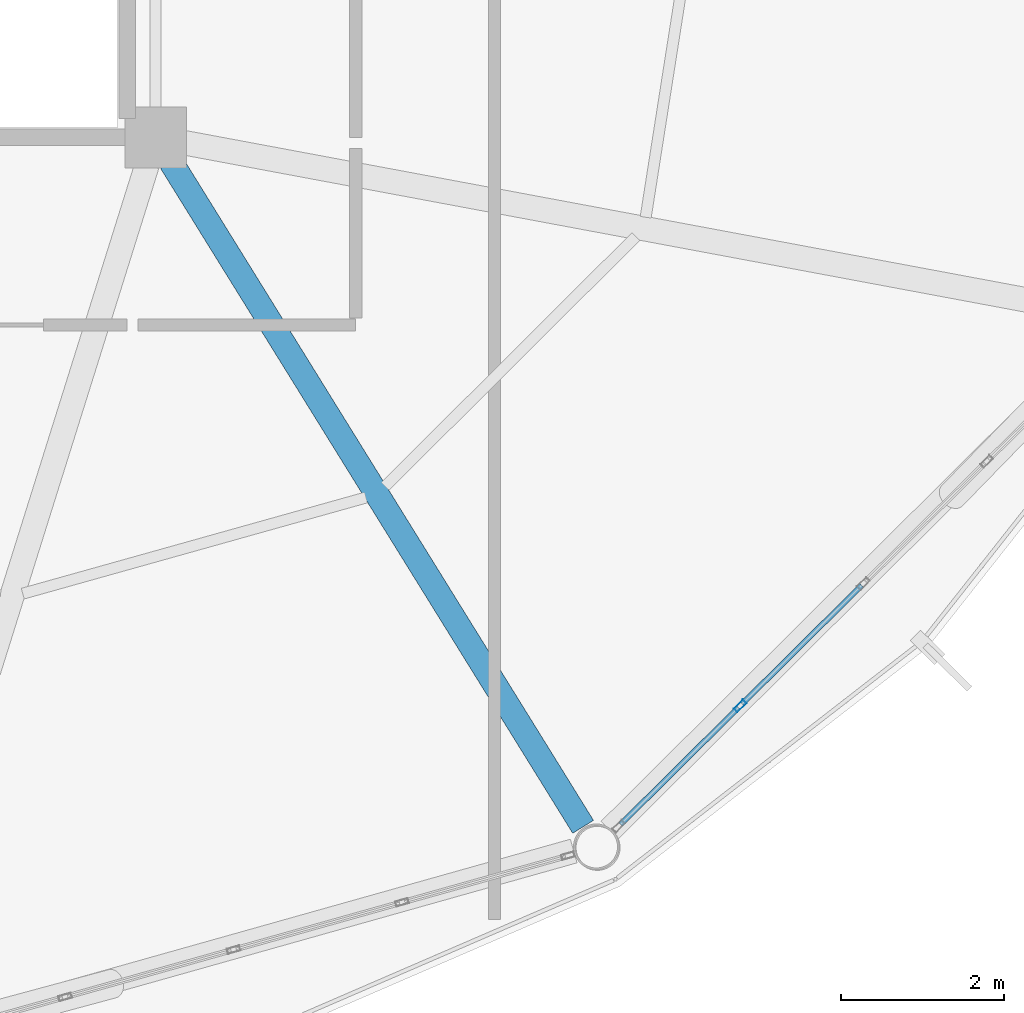
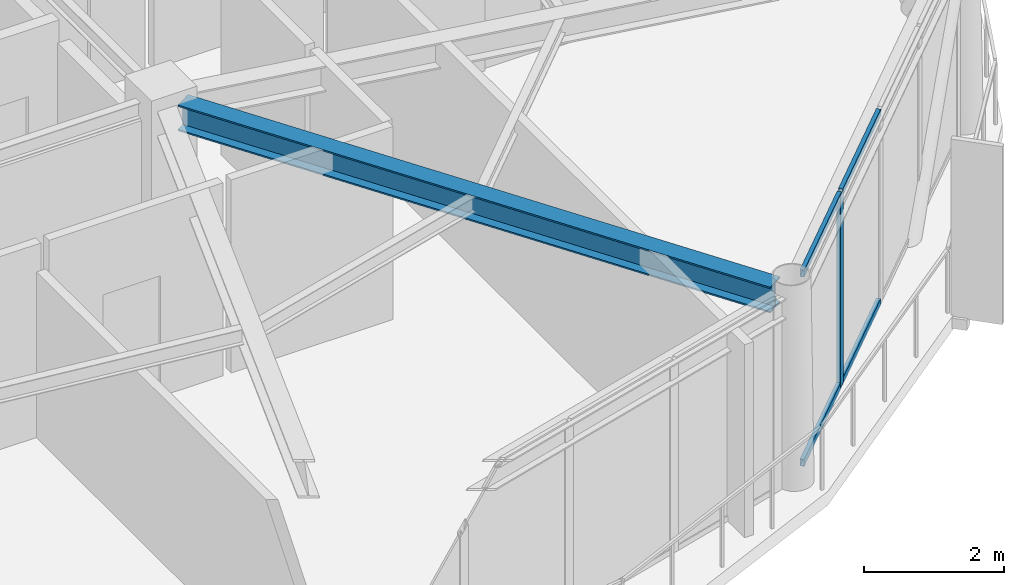
# One storey, part 7 of 25: 5 members, 1 beam, 1 element without a shape of its own.
"""IFC4 building model written with IfcOpenShell, lengths in metres."""

import ifcopenshell
import ifcopenshell.guid

model = None  # the IFC model being written
_history = None  # IfcOwnerHistory: only IFC2X3 demands one
_inside = {}  # id of a spatial element -> (the spatial element, [elements in it])
_under = {}  # id of a project, library or spatial element -> (it, [spatial elements below it])
_declared = {}  # id of a project -> (the project, [libraries it declares])
_typed = {}  # id of a type object -> (the type object, [elements of that type])
_made_of = {}  # id of a material, layer set ... -> (it, [elements and type objects made of it])


def new_model(schema):
    """Start an empty IFC model of exactly this schema.

    Asked for "IFC4X3", IfcOpenShell would pick the latest addendum, in which some entities
    have other attributes; the version numbers below select the first issue.
    IFC2X3 requires an IfcOwnerHistory on every rooted entity: one is made here for all.
    """
    global model, _history
    if schema == "IFC4X3":
        model = ifcopenshell.file(schema_version=(4, 3, 0, 0))
    else:
        model = ifcopenshell.file(schema=schema)
    _inside.clear()
    _under.clear()
    _declared.clear()
    _typed.clear()
    _made_of.clear()
    _history = None
    if model.schema == "IFC2X3":
        org = make("IfcOrganization", Name="unknown")
        user = make(
            "IfcPersonAndOrganization",
            ThePerson=make("IfcPerson", FamilyName="unknown"),
            TheOrganization=org,
        )
        app = make(
            "IfcApplication",
            ApplicationDeveloper=org,
            Version="unknown",
            ApplicationFullName="unknown",
            ApplicationIdentifier="unknown",
        )
        _history = make(
            "IfcOwnerHistory",
            OwningUser=user,
            OwningApplication=app,
            ChangeAction="ADDED",
            CreationDate=0,
        )
    return model


def make(cls, **values):
    """One entity of the class cls with the attributes given. An attribute that is None is left unset."""
    return model.create_entity(
        cls, **{name: value for name, value in values.items() if value is not None}
    )


def rooted(cls, **values):
    """An entity with a GlobalId (a new one), such as an element, a storey or a relation."""
    return make(cls, GlobalId=ifcopenshell.guid.new(), OwnerHistory=_history, **values)


def si_unit(unit_type, name, prefix=None):
    """IfcSIUnit, for example si_unit("LENGTHUNIT", "METRE", prefix="MILLI")."""
    return make("IfcSIUnit", UnitType=unit_type, Prefix=prefix, Name=name)


def assignment(units):
    """IfcUnitAssignment: the units of a project."""
    return None if units is None else make("IfcUnitAssignment", Units=units)


def point(xyz):
    """IfcCartesianPoint."""
    return None if xyz is None else make("IfcCartesianPoint", Coordinates=xyz)


def direction(xyz):
    """IfcDirection."""
    return None if xyz is None else make("IfcDirection", DirectionRatios=xyz)


def frame(location, z_axis=None, x_axis=None):
    """IfcAxis2Placement3D, a coordinate frame: its origin and axes. An axis left out is left unset."""
    return make(
        "IfcAxis2Placement3D",
        Location=point(location),
        Axis=direction(z_axis),
        RefDirection=direction(x_axis),
    )


def frame_2d(location, x_axis=None):
    """IfcAxis2Placement2D, a coordinate frame in the plane: its origin and x axis."""
    return make(
        "IfcAxis2Placement2D", Location=point(location), RefDirection=direction(x_axis)
    )


def origin():
    """The frame at (0, 0, 0) with its axes left unset."""
    return frame((0.0, 0.0, 0.0))


def origin_2d():
    """The frame at (0, 0) in the plane with its x axis left unset."""
    return frame_2d((0.0, 0.0))


def place(relative_to, where):
    """IfcLocalPlacement: puts the frame where relative to a parent placement (None: the world)."""
    return make(
        "IfcLocalPlacement", PlacementRelTo=relative_to, RelativePlacement=where
    )


def context(
    kind, dimensions, precision=None, world=None, true_north=None, identifier=None
):
    """IfcGeometricRepresentationContext, for example the 3D "Model" context."""
    return make(
        "IfcGeometricRepresentationContext",
        ContextIdentifier=identifier,
        ContextType=kind,
        CoordinateSpaceDimension=dimensions,
        Precision=precision,
        WorldCoordinateSystem=world,
        TrueNorth=true_north,
    )


def subcontext(parent, identifier, kind, view, scale=None):
    """IfcGeometricRepresentationSubContext, for example "Body" below "Model"."""
    return make(
        "IfcGeometricRepresentationSubContext",
        ContextIdentifier=identifier,
        ContextType=kind,
        ParentContext=parent,
        TargetScale=scale,
        TargetView=view,
    )


def project(units=None, contexts=None):
    """IfcProject with its units and contexts."""
    return rooted(
        "IfcProject",
        Name="project",
        RepresentationContexts=contexts,
        UnitsInContext=assignment(units),
    )


def spatial(cls, under=None, at=None, **own):
    """A site, building, storey or space (cls), placed at a placement, below another one or the project."""
    s = rooted(cls, ObjectPlacement=at, **own)
    if under is not None:
        _under.setdefault(under.id(), (under, []))[1].append(s)
    return s


def profile(cls, at=None, kind="AREA", **sizes):
    """A parametric profile (cls). Its sizes go by their IFC names, for example OverallWidth=200.0."""
    return make(cls, ProfileType=kind, Position=at, **sizes)


def hollow_rectangle(**sizes):
    """IfcRectangleHollowProfileDef."""
    return profile("IfcRectangleHollowProfileDef", **sizes)


def i_section(**sizes):
    """IfcIShapeProfileDef."""
    return profile("IfcIShapeProfileDef", **sizes)


def extrude(swept, where, along, depth):
    """IfcExtrudedAreaSolid: the profile swept, set in the frame where, extruded along a direction by depth."""
    return make(
        "IfcExtrudedAreaSolid",
        SweptArea=swept,
        Position=where,
        ExtrudedDirection=direction(along),
        Depth=depth,
    )


def shape(context_of_items, identifier, shape_type, items):
    """IfcShapeRepresentation: the items that make up one representation, for example the "Body"."""
    return make(
        "IfcShapeRepresentation",
        ContextOfItems=context_of_items,
        RepresentationIdentifier=identifier,
        RepresentationType=shape_type,
        Items=items,
    )


def material(Name=None, Category=None):
    """IfcMaterial."""
    return make("IfcMaterial", Name=Name, Category=Category)


def layer(
    of_material, thickness, ventilated=None, Name=None, Category=None, Priority=None
):
    """IfcMaterialLayer: one layer of a wall or slab, of a material (None: an air gap)."""
    return make(
        "IfcMaterialLayer",
        Material=of_material,
        LayerThickness=thickness,
        IsVentilated=ventilated,
        Name=Name,
        Category=Category,
        Priority=Priority,
    )


def layer_set(layers, Name=None):
    """IfcMaterialLayerSet."""
    return make("IfcMaterialLayerSet", MaterialLayers=layers, LayerSetName=Name)


def material_profile(
    of_material, cross_section, Name=None, Category=None, Priority=None
):
    """IfcMaterialProfile: a cross section and its material."""
    return make(
        "IfcMaterialProfile",
        Name=Name,
        Material=of_material,
        Profile=cross_section,
        Priority=Priority,
        Category=Category,
    )


def profile_set(profiles, Name=None, composite=None):
    """IfcMaterialProfileSet."""
    return make(
        "IfcMaterialProfileSet",
        Name=Name,
        MaterialProfiles=profiles,
        CompositeProfile=composite,
    )


def made_of(thing, what):
    """Note that an element or type object is made of a material, layer set ...; save() writes the relation."""
    if what is not None:
        _made_of.setdefault(what.id(), (what, []))[1].append(thing)
    return thing


def type_object(cls, material=None, **own):
    """A type object (cls), such as IfcWallType, which elements share."""
    return made_of(rooted(cls, **own), material)


def element(
    cls,
    number,
    at=None,
    inside=None,
    cuts=None,
    type_object=None,
    material=None,
    context=None,
    identifier="Body",
    shape_type=None,
    held_by="IfcProductDefinitionShape",
    body=None,
    shapes=None,
    **own,
):
    """One element of the class cls, such as IfcWall. Its Tag is "e" and its number.

    at: its placement. inside: the storey or other place that contains it. cuts: it is an
    opening in that element (IfcRelVoidsElement). A single representation is given by context,
    identifier, shape_type and body (its items); several are given by shapes. held_by: the class
    of the entity that holds the representations. save() writes the other relations.
    """
    e = rooted(cls, Tag="e%d" % number, ObjectPlacement=at, **own)
    if body is not None:
        shapes = [shape(context, identifier, shape_type, body)]
    if shapes is not None:
        e.Representation = make(held_by, Representations=shapes)
    if inside is not None:
        _inside.setdefault(inside.id(), (inside, []))[1].append(e)
    if cuts is not None:
        rooted(
            "IfcRelVoidsElement", RelatingBuildingElement=cuts, RelatedOpeningElement=e
        )
    if type_object is not None:
        _typed.setdefault(type_object.id(), (type_object, []))[1].append(e)
    return made_of(e, material)


def aggregate(whole, parts):
    """IfcRelAggregates: a whole, such as a stair, and the parts it consists of."""
    return rooted("IfcRelAggregates", RelatingObject=whole, RelatedObjects=parts)


def save(model, path):
    """Write the relations noted so far, then the file.

    IfcRelAggregates (storeys below a building ...), IfcRelContainedInSpatialStructure (elements
    in a storey), IfcRelDefinesByType, IfcRelAssociatesMaterial and IfcRelDeclares: one each for
    every whole, place, type object, material and project.
    """
    for whole, parts in _under.values():
        aggregate(whole, parts)
    for where, things in _inside.values():
        rooted(
            "IfcRelContainedInSpatialStructure",
            RelatedElements=things,
            RelatingStructure=where,
        )
    for kind, things in _typed.values():
        rooted("IfcRelDefinesByType", RelatedObjects=things, RelatingType=kind)
    for what, things in _made_of.values():
        rooted("IfcRelAssociatesMaterial", RelatedObjects=things, RelatingMaterial=what)
    for by, libraries in _declared.values():
        rooted("IfcRelDeclares", RelatingContext=by, RelatedDefinitions=libraries)
    model.write(path)


model = new_model("IFC4")

# Units and contexts
model_context = context("Model", 3, precision=1e-05, world=origin(), true_north=direction((0.0, 1.0)))
body_context = subcontext(model_context, "Body", "Model", "MODEL_VIEW")
ifc_project = project(units=[si_unit("LENGTHUNIT", "METRE"), si_unit("AREAUNIT", "SQUARE_METRE"), si_unit("VOLUMEUNIT", "CUBIC_METRE"), si_unit("PLANEANGLEUNIT", "RADIAN"), si_unit("MASSUNIT", "GRAM", prefix="KILO")], contexts=[model_context])

# Site, building, storey
site_placement = place(None, origin())
site = spatial("IfcSite", under=ifc_project, at=site_placement, CompositionType="ELEMENT")
building_placement = place(site_placement, origin())
building = spatial("IfcBuilding", under=site, at=building_placement, Name="Varnakorn Sky Granary", CompositionType="ELEMENT")
storey_placement = place(building_placement, frame((0.0, 0.0, 277.800048828125)))
storey = spatial("IfcBuildingStorey", under=building, at=storey_placement, Name="L71", CompositionType="ELEMENT", Elevation=277.800048828125)

# Beam
ifc_material_1 = material(Name="Steel S355JR", Category="steel")
ifc_material_profile_1 = material_profile(ifc_material_1, i_section(OverallWidth=0.300048828125, OverallDepth=0.449951171875, WebThickness=0.013916015625, FlangeThickness=0.02587890625, at=origin_2d()), Name="HE 450 B")
ifc_profile_set_1 = profile_set([ifc_material_profile_1], Name="Steel S355JR")
beam_type = type_object("IfcBeamType", Name="BM-RAD-Z5", PredefinedType="BEAM", material=ifc_profile_set_1)
beam_placement = place(storey_placement, frame((8.537109375, -6.901611328125, 3.135009765625), z_axis=(0.526873780467, -0.849943538982, 0.0), x_axis=(0.849943538982, 0.526873780467, 0.0)))
element("IfcBeam", 1, at=beam_placement, inside=storey, type_object=beam_type, Name="Radial Floor Girder RG11 L71", PredefinedType="BEAM", context=body_context, shape_type="SweptSolid", body=[
    extrude(i_section(OverallWidth=0.300048828125, OverallDepth=0.449951171875, WebThickness=0.013916015625, FlangeThickness=0.02587890625, at=origin_2d()), origin(), (0.0, 0.0, 1.0), 9.58203125),
])

# Curtain wall, members
ifc_material_2 = material(Name="Anodised Bronze Aluminium Alloy 6063-T6", Category="aluminium")
ifc_layer = layer(ifc_material_2, 0.159912109375, Name="Anodised Bronze Aluminium Alloy 6063-T6")
ifc_layer_set = layer_set([ifc_layer], Name="Anodised Bronze Aluminium Alloy 6063-T6")
curtain_wall_type = type_object("IfcCurtainWallType", Name="CW-OFF-1", PredefinedType="USERDEFINED", material=ifc_layer_set)
curtain_wall_placement = place(storey_placement, origin())
curtain_wall = element("IfcCurtainWall", 2, at=curtain_wall_placement, inside=storey, type_object=curtain_wall_type, Name="Unitised Curtain Wall CW6 CW-L71-B11", ObjectType="CURTAIN WALL", PredefinedType="USERDEFINED")
ifc_material_profile_2 = material_profile(ifc_material_2, hollow_rectangle(XDim=0.06494140625, YDim=0.159912109375, WallThickness=0.00341796875, at=origin_2d()), Name="ALU MULL 65x160")
ifc_profile_set_2 = profile_set([ifc_material_profile_2], Name="Anodised Bronze Aluminium Alloy 6063-T6")
member_type_1 = type_object("IfcMemberType", Name="CW-OFF-1-MULL", PredefinedType="MULLION", material=ifc_profile_set_2)
member_1_placement = place(storey_placement, frame((15.510009765625, -13.56396484375, 0.0), z_axis=(0.0, 0.0, 1.0), x_axis=(0.704102293926, -0.71009855632, 0.0)))
member_1 = element("IfcMember", 3, at=member_1_placement, type_object=member_type_1, Name="CW6 mullion 4", PredefinedType="MULLION", context=body_context, shape_type="SweptSolid", body=[
    extrude(hollow_rectangle(XDim=0.06494140625, YDim=0.159912109375, WallThickness=0.00341796875, at=origin_2d()), origin(), (0.0, 0.0, 1.0), 3.35986328125),
])
ifc_material_profile_3 = material_profile(ifc_material_2, hollow_rectangle(XDim=0.06494140625, YDim=0.1201171875, WallThickness=0.00341796875, at=origin_2d()), Name="ALU TRAN 65x120")
ifc_profile_set_3 = profile_set([ifc_material_profile_3], Name="Anodised Bronze Aluminium Alloy 6063-T6")
member_type_2 = type_object("IfcMemberType", Name="CW-OFF-1-TRAN", PredefinedType="USERDEFINED", material=ifc_profile_set_3)
member_2_placement = place(storey_placement, frame((16.996826171875, -12.089599609375, 0.032470703125), z_axis=(-0.710120356821, -0.704080307088, 0.0), x_axis=(0.704080307088, -0.710120356821, 0.0)))
member_2 = element("IfcMember", 4, at=member_2_placement, type_object=member_type_2, Name="CW6 transom 3.1", ObjectType="TRANSOM", PredefinedType="USERDEFINED", context=body_context, shape_type="SweptSolid", body=[
    extrude(hollow_rectangle(XDim=0.06494140625, YDim=0.1201171875, WallThickness=0.00341796875, at=origin_2d()), origin(), (0.0, 0.0, 1.0), 2.0615234375),
])
member_3_placement = place(storey_placement, frame((16.996826171875, -12.089599609375, 3.327392578125), z_axis=(-0.710120356821, -0.704080307088, 0.0), x_axis=(0.704080307088, -0.710120356821, 0.0)))
member_3 = element("IfcMember", 5, at=member_3_placement, type_object=member_type_2, Name="CW6 transom 3.2", ObjectType="TRANSOM", PredefinedType="USERDEFINED", context=body_context, shape_type="SweptSolid", body=[
    extrude(hollow_rectangle(XDim=0.06494140625, YDim=0.1201171875, WallThickness=0.00341796875, at=origin_2d()), origin(), (0.0, 0.0, 1.0), 2.0615234375),
])
member_4_placement = place(storey_placement, frame((15.48681640625, -13.5869140625, 0.032470703125), z_axis=(-0.71010880712, -0.704091955678, 0.0), x_axis=(0.704091955678, -0.71010880712, 0.0)))
member_4 = element("IfcMember", 6, at=member_4_placement, type_object=member_type_2, Name="CW6 transom 4.1", ObjectType="TRANSOM", PredefinedType="USERDEFINED", context=body_context, shape_type="SweptSolid", body=[
    extrude(hollow_rectangle(XDim=0.06494140625, YDim=0.1201171875, WallThickness=0.00341796875, at=origin_2d()), origin(), (0.0, 0.0, 1.0), 2.02880859375),
])
member_5_placement = place(storey_placement, frame((15.48681640625, -13.5869140625, 3.327392578125), z_axis=(-0.71010880712, -0.704091955678, 0.0), x_axis=(0.704091955678, -0.71010880712, 0.0)))
member_5 = element("IfcMember", 7, at=member_5_placement, type_object=member_type_2, Name="CW6 transom 4.2", ObjectType="TRANSOM", PredefinedType="USERDEFINED", context=body_context, shape_type="SweptSolid", body=[
    extrude(hollow_rectangle(XDim=0.06494140625, YDim=0.1201171875, WallThickness=0.00341796875, at=origin_2d()), origin(), (0.0, 0.0, 1.0), 2.02880859375),
])
aggregate(curtain_wall, [member_1, member_2, member_3, member_4, member_5])

save(model, "model.ifc")
